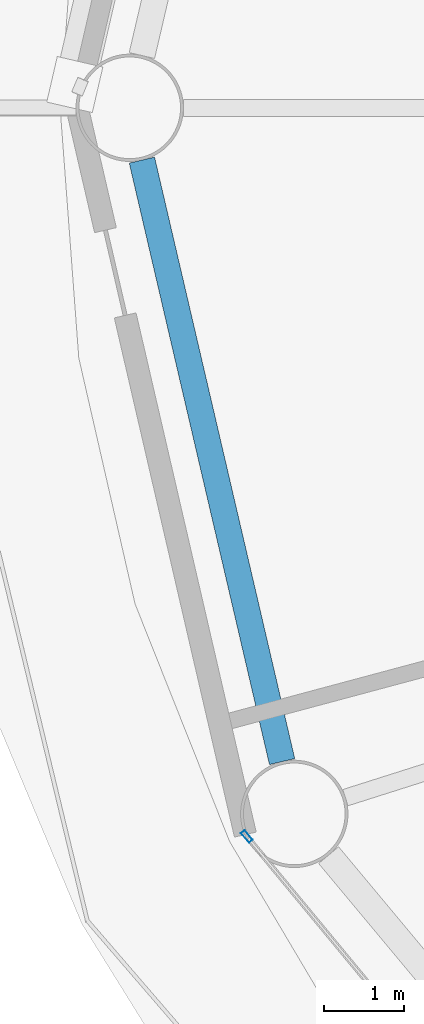
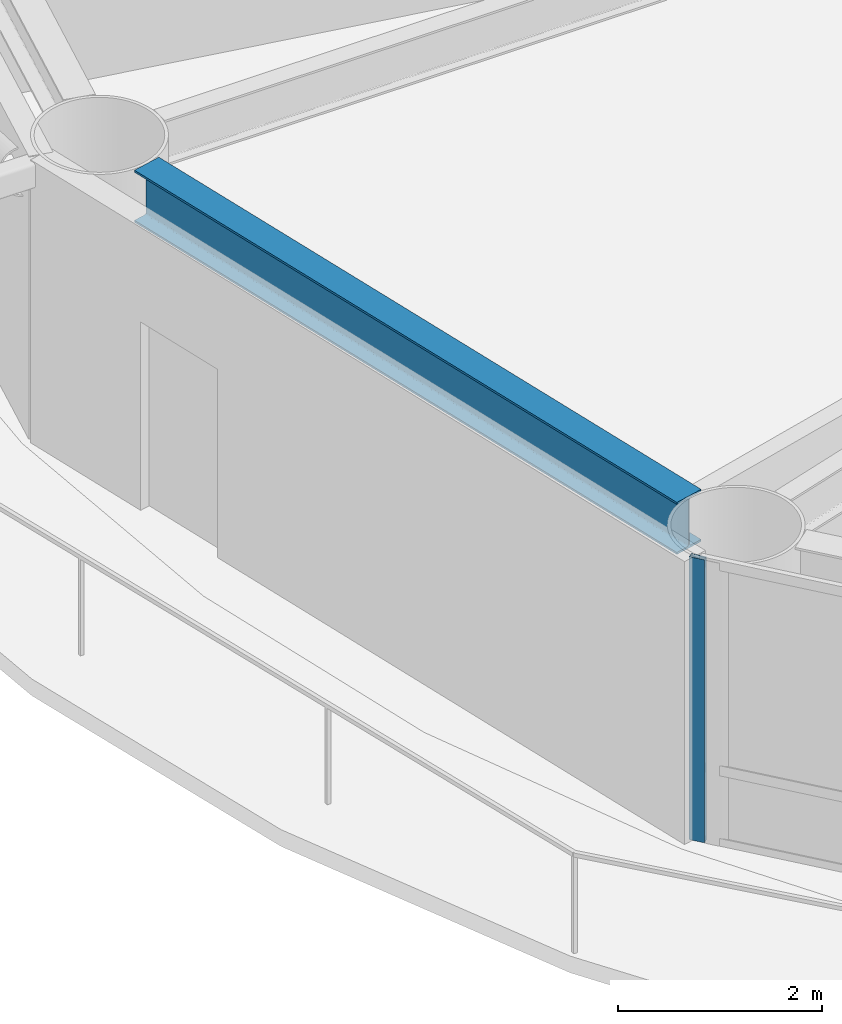
# One storey, part 4 of 26: 1 beam, 1 member, 1 element without a shape of its own.
"""IFC4 building model written with IfcOpenShell, lengths in metres."""

from ifc_helpers import new_model, si_unit, direction, frame, origin, origin_2d, place, context, subcontext, project, spatial, hollow_rectangle, i_section, extrude, material, layer, layer_set, material_profile, profile_set, type_object, element, aggregate, save


model = new_model("IFC4")

# Units and contexts
model_context = context("Model", 3, precision=1e-05, world=origin(), true_north=direction((0.0, 1.0)))
body_context = subcontext(model_context, "Body", "Model", "MODEL_VIEW")
ifc_project = project(units=[si_unit("LENGTHUNIT", "METRE"), si_unit("AREAUNIT", "SQUARE_METRE"), si_unit("VOLUMEUNIT", "CUBIC_METRE"), si_unit("PLANEANGLEUNIT", "RADIAN"), si_unit("MASSUNIT", "GRAM", prefix="KILO")], contexts=[model_context])

# Site, building, storey
site_placement = place(None, origin())
site = spatial("IfcSite", under=ifc_project, at=site_placement, CompositionType="ELEMENT")
building_placement = place(site_placement, origin())
building = spatial("IfcBuilding", under=site, at=building_placement, Name="Sarneth Arch Tower", CompositionType="ELEMENT")
storey_placement = place(building_placement, frame((0.0, 0.0, 39.0)))
storey = spatial("IfcBuildingStorey", under=building, at=storey_placement, Name="L08", CompositionType="ELEMENT", Elevation=39.0)

# Beam
ifc_material_1 = material(Name="Steel S355", Category="steel")
ifc_material_profile_1 = material_profile(ifc_material_1, i_section(OverallWidth=0.326904296875, OverallDepth=0.6220703125, WebThickness=0.015380859375, FlangeThickness=0.0244140625, FilletRadius=0.01904296875, at=origin_2d()), Name="W610x195")
ifc_profile_set_1 = profile_set([ifc_material_profile_1], Name="Steel S355")
beam_type = type_object("IfcBeamType", Name="BM-SPAN-610A", PredefinedType="SPANDREL", material=ifc_profile_set_1)
beam_placement = place(storey_placement, frame((18.118408203125, 41.342529296875, 3.069091796875), z_axis=(0.227001042423, -0.973894515201, 0.0), x_axis=(0.973894515201, 0.227001042423, 0.0)))
element("IfcBeam", 1, at=beam_placement, inside=storey, type_object=beam_type, Name="L08 Perimeter spandrel beam 09", PredefinedType="SPANDREL", context=body_context, shape_type="SweptSolid", body=[
    extrude(i_section(OverallWidth=0.326904296875, OverallDepth=0.6220703125, WebThickness=0.015380859375, FlangeThickness=0.0244140625, FilletRadius=0.01904296875, at=origin_2d()), origin(), (0.0, 0.0, 1.0), 7.76611328125),
])

# Curtain wall, member
ifc_material_2 = material(Name="Anodised aluminium Type AA25 and solar-control low-e laminated IGU", Category="aluminium")
ifc_layer = layer(ifc_material_2, 0.159912109375)
ifc_layer_set = layer_set([ifc_layer], Name="Anodised aluminium Type AA25 and solar-control low-e laminated IGU")
curtain_wall_type = type_object("IfcCurtainWallType", Name="CW-HOTEL-LOW", PredefinedType="NOTDEFINED", material=ifc_layer_set)
curtain_wall_placement = place(storey_placement, origin())
curtain_wall = element("IfcCurtainWall", 2, at=curtain_wall_placement, inside=storey, type_object=curtain_wall_type, Name="L08 Unitised curtain wall facet 10", PredefinedType="NOTDEFINED")
ifc_material_3 = material(Name="Anodised Aluminium 6063-T6", Category="aluminium")
ifc_material_profile_2 = material_profile(ifc_material_3, hollow_rectangle(XDim=0.06005859375, YDim=0.159912109375, WallThickness=0.00390625, at=origin_2d()), Name="AL-MULL-160x60x4")
ifc_profile_set_2 = profile_set([ifc_material_profile_2], Name="Anodised Aluminium 6063-T6")
member_type = type_object("IfcMemberType", Name="CW-MULLION", PredefinedType="MULLION", material=ifc_profile_set_2)
member_placement = place(storey_placement, frame((19.438232421875, 32.83837890625, 0.0), z_axis=(0.0, 0.0, 1.0), x_axis=(0.770622960278, 0.637291340827, 0.0)))
member = element("IfcMember", 3, at=member_placement, type_object=member_type, Name="CW-SYS-3 mullion 1", PredefinedType="MULLION", context=body_context, shape_type="SweptSolid", body=[
    extrude(hollow_rectangle(XDim=0.06005859375, YDim=0.159912109375, WallThickness=0.00390625, at=origin_2d()), origin(), (0.0, 0.0, 1.0), 3.3798828125),
])
aggregate(curtain_wall, [member])

save(model, "model.ifc")
